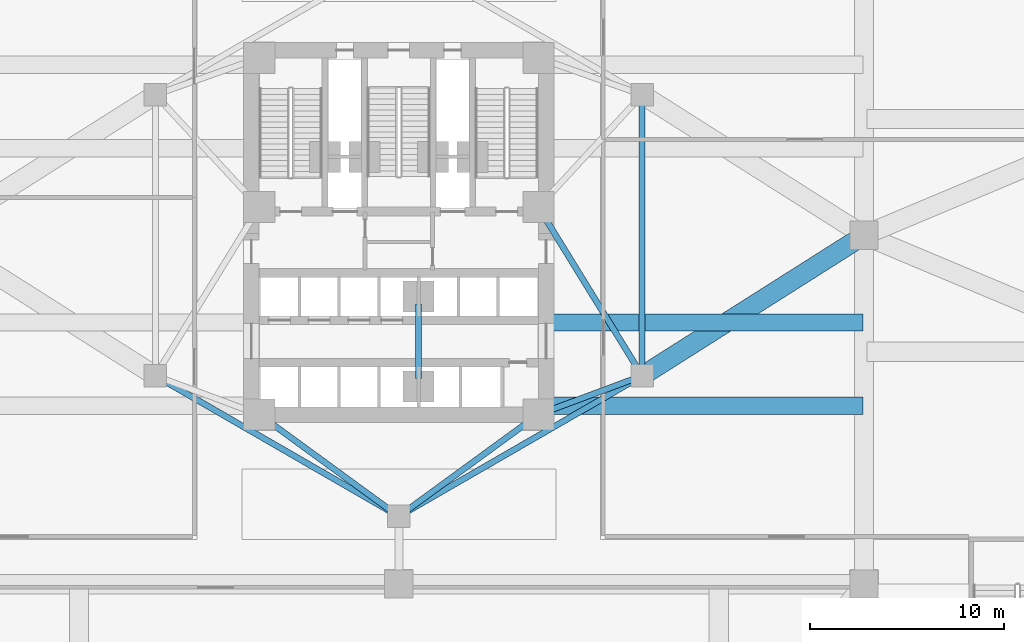
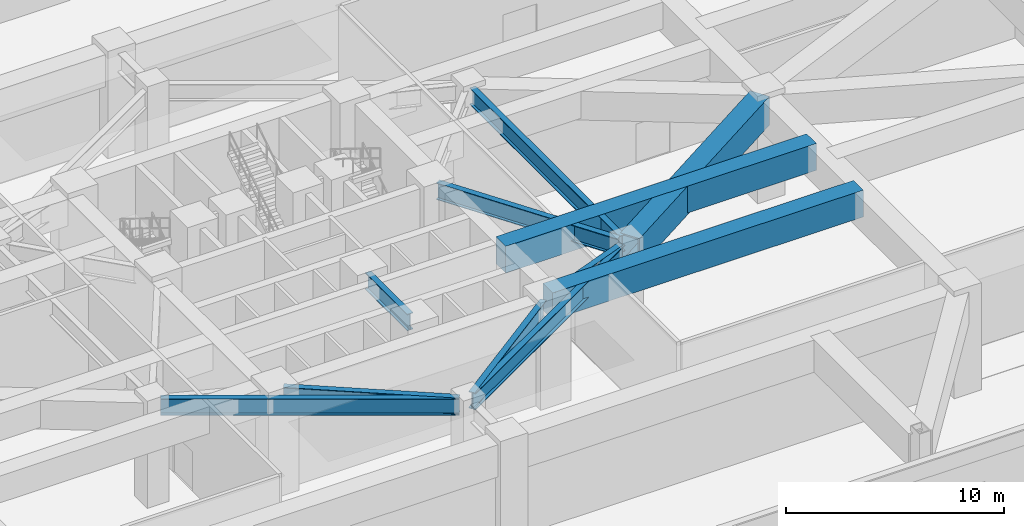
# One storey, part 5 of 24: 11 beams.
"""IFC4 building model written with IfcOpenShell, lengths in metres."""

from ifc_helpers import new_model, si_unit, direction, frame, origin, origin_2d, place, context, subcontext, project, spatial, rectangle, hollow_rectangle, i_section, extrude, material, material_profile, profile_set, type_object, element, save


model = new_model("IFC4")

# Units and contexts
model_context = context("Model", 3, precision=1e-05, world=origin(), true_north=direction((0.0, 1.0)))
body_context = subcontext(model_context, "Body", "Model", "MODEL_VIEW")
ifc_project = project(units=[si_unit("LENGTHUNIT", "METRE"), si_unit("AREAUNIT", "SQUARE_METRE"), si_unit("VOLUMEUNIT", "CUBIC_METRE"), si_unit("PLANEANGLEUNIT", "RADIAN"), si_unit("MASSUNIT", "GRAM", prefix="KILO")], contexts=[model_context])

# Site, building, storey
site_placement = place(None, origin())
site = spatial("IfcSite", under=ifc_project, at=site_placement, CompositionType="ELEMENT")
building_placement = place(site_placement, origin())
building = spatial("IfcBuilding", under=site, at=building_placement, Name="Apsidion Concourse Tower", CompositionType="ELEMENT")
storey_placement = place(building_placement, frame((0.0, 0.0, 17.5)))
storey = spatial("IfcBuildingStorey", under=building, at=storey_placement, Name="L03", CompositionType="ELEMENT", Elevation=17.5)

# Beams
ifc_material_1 = material(Name="Structural steel ASTM A992 Grade 50", Category="steel")
ifc_material_profile_1 = material_profile(ifc_material_1, i_section(OverallWidth=0.31005859375, OverallDepth=0.931884765625, WebThickness=0.02099609375, FlangeThickness=0.034423828125, at=origin_2d()), Name="W36X210")
ifc_profile_set_1 = profile_set([ifc_material_profile_1], Name="Structural steel ASTM A992 Grade 50")
beam_type_1 = type_object("IfcBeamType", Name="BM-G-W36", PredefinedType="USERDEFINED", material=ifc_profile_set_1)
beam_1_placement = place(storey_placement, frame((12.185302734375, -7.389892578125, 5.23388671875), z_axis=(-0.936913021145, -0.349562570664, 0.0), x_axis=(0.349562570664, -0.936913021145, 0.0)))
element("IfcBeam", 1, at=beam_1_placement, inside=storey, type_object=beam_type_1, Name="L03 Core Coupling Girder IC2-SC2", ObjectType="GIRDER", PredefinedType="USERDEFINED", context=body_context, shape_type="SweptSolid", body=[
    extrude(i_section(OverallWidth=0.31005859375, OverallDepth=0.931884765625, WebThickness=0.02099609375, FlangeThickness=0.034423828125, at=origin_2d()), origin(), (0.0, 0.0, 1.0), 4.921142578125),
])
beam_2_placement = place(storey_placement, frame((12.35009765625, -6.909423828125, 5.23388671875), z_axis=(-0.524524009763, 0.851395656074, 0.0), x_axis=(-0.851395656074, -0.524524009763, 0.0)))
element("IfcBeam", 2, at=beam_2_placement, inside=storey, type_object=beam_type_1, Name="L03 Core Coupling Girder IC2-SC3", ObjectType="GIRDER", PredefinedType="USERDEFINED", context=body_context, shape_type="SweptSolid", body=[
    extrude(i_section(OverallWidth=0.31005859375, OverallDepth=0.931884765625, WebThickness=0.02099609375, FlangeThickness=0.034423828125, at=origin_2d()), origin(), (0.0, 0.0, 1.0), 9.41845703125),
])
for number, where, z_axis, x_axis, name in (
    (3, (-0.3232421875, -14.264404296875, 5.23388671875), (-0.807993498909, 0.589191399905, 0.0), (-0.589191399905, -0.807993498909, 0.0), "L03 Core Coupling Girder IC6-SC1"),
    (4, (0.3232421875, -14.264404296875, 5.23388671875), (0.807993498909, 0.589191399905, 0.0), (-0.589191399905, 0.807993498909, 0.0), "L03 Core Coupling Girder IC6-SC2"),
):
    element("IfcBeam", number, at=place(storey_placement, frame(where, z_axis=z_axis, x_axis=x_axis)), inside=storey, type_object=beam_type_1, Name=name, ObjectType="GIRDER", PredefinedType="USERDEFINED", context=body_context, shape_type="SweptSolid", body=[
        extrude(i_section(OverallWidth=0.31005859375, OverallDepth=0.931884765625, WebThickness=0.02099609375, FlangeThickness=0.034423828125, at=origin_2d()), origin(), (0.0, 0.0, 1.0), 8.11083984375),
    ])
beam_3_placement = place(storey_placement, frame((12.56005859375, 6.85009765625, 5.23388671875), z_axis=(0.0, -1.0, 0.0), x_axis=(1.0, 0.0, 0.0)))
element("IfcBeam", 5, at=beam_3_placement, inside=storey, type_object=beam_type_1, Name="L03 Core Coupling Girder IC3-IC2", ObjectType="GIRDER", PredefinedType="USERDEFINED", context=body_context, shape_type="SweptSolid", body=[
    extrude(i_section(OverallWidth=0.31005859375, OverallDepth=0.931884765625, WebThickness=0.02099609375, FlangeThickness=0.034423828125, at=origin_2d()), origin(), (0.0, 0.0, 1.0), 13.7001953125),
])
for number, where, z_axis, x_axis, name in (
    (6, (12.213623046875, -7.449951171875, 5.23388671875), (-0.866070471464, -0.499921932364, 0.0), (0.499921932364, -0.866070471464, 0.0), "L03 Core Coupling Girder IC2-IC6"),
    (7, (-0.346435546875, -14.300048828125, 5.23388671875), (-0.866070471464, 0.499921932364, 0.0), (-0.499921932364, -0.866070471464, 0.0), "L03 Core Coupling Girder IC6-IC1"),
):
    element("IfcBeam", number, at=place(storey_placement, frame(where, z_axis=z_axis, x_axis=x_axis)), inside=storey, type_object=beam_type_1, Name=name, ObjectType="GIRDER", PredefinedType="USERDEFINED", context=body_context, shape_type="SweptSolid", body=[
        extrude(i_section(OverallWidth=0.31005859375, OverallDepth=0.931884765625, WebThickness=0.02099609375, FlangeThickness=0.034423828125, at=origin_2d()), origin(), (0.0, 0.0, 1.0), 13.702392578125),
    ])
beam_4_placement = place(storey_placement, frame((1.02490234375, -3.550048828125, 5.23388671875), z_axis=(0.0, -1.0, 0.0), x_axis=(1.0, 0.0, 0.0)))
element("IfcBeam", 8, at=beam_4_placement, inside=storey, type_object=beam_type_1, Name="L03 Core Coupling Girder CC5-CC6", ObjectType="GIRDER", PredefinedType="USERDEFINED", context=body_context, shape_type="SweptSolid", body=[
    extrude(i_section(OverallWidth=0.31005859375, OverallDepth=0.931884765625, WebThickness=0.02099609375, FlangeThickness=0.034423828125, at=origin_2d()), origin(), (0.0, 0.0, 1.0), 3.849853515625),
])
ifc_material_2 = material(Name="Concrete C50/60", Category="concrete")
ifc_material_profile_2 = material_profile(ifc_material_2, rectangle(XDim=0.89990234375, YDim=1.5, at=origin_2d()), Name="RC 900x1500")
ifc_profile_set_2 = profile_set([ifc_material_profile_2], Name="Concrete C50/60")
beam_type_2 = type_object("IfcBeamType", Name="BM-TB-RC15", PredefinedType="T_BEAM", material=ifc_profile_set_2)
for number, where, z_axis, x_axis, name in (
    (9, (7.5, -8.800048828125, 4.949951171875), (1.0, 0.0, 0.0), (0.0, 1.0, 0.0), "L03 Convention Long-Span Tee Beam E1"),
    (10, (7.5, -4.5, 4.949951171875), (1.0, 0.0, 0.0), (0.0, 1.0, 0.0), "L03 Convention Long-Span Tee Beam E2"),
):
    element("IfcBeam", number, at=place(storey_placement, frame(where, z_axis=z_axis, x_axis=x_axis)), inside=storey, type_object=beam_type_2, Name=name, PredefinedType="T_BEAM", context=body_context, shape_type="SweptSolid", body=[
        extrude(rectangle(XDim=0.89990234375, YDim=1.5, at=origin_2d()), origin(), (0.0, 0.0, 1.0), 16.449951171875),
    ])
ifc_material_3 = material(Name="Structural steel ASTM A572 Grade 50", Category="steel")
ifc_material_profile_3 = material_profile(ifc_material_3, hollow_rectangle(XDim=1.0, YDim=1.60009765625, WallThickness=0.074951171875, at=origin_2d()), Name="BOX1600X1000X75")
ifc_profile_set_3 = profile_set([ifc_material_profile_3], Name="Structural steel ASTM A572 Grade 50")
beam_type_3 = type_object("IfcBeamType", Name="BM-TR-1600", PredefinedType="USERDEFINED", material=ifc_profile_set_3)
beam_5_placement = place(storey_placement, frame((23.704345703125, -0.1875, 4.89990234375), z_axis=(-0.844671254714, -0.535285411215, 0.0), x_axis=(0.535285411215, -0.844671254714, 0.0)))
element("IfcBeam", 11, at=beam_5_placement, inside=storey, type_object=beam_type_3, Name="L03 Podium Girder MC4-IC2", ObjectType="GIRDER", PredefinedType="USERDEFINED", context=body_context, shape_type="SweptSolid", body=[
    extrude(hollow_rectangle(XDim=1.0, YDim=1.60009765625, WallThickness=0.074951171875, at=origin_2d()), origin(), (0.0, 0.0, 1.0), 12.843505859375),
])

save(model, "model.ifc")
